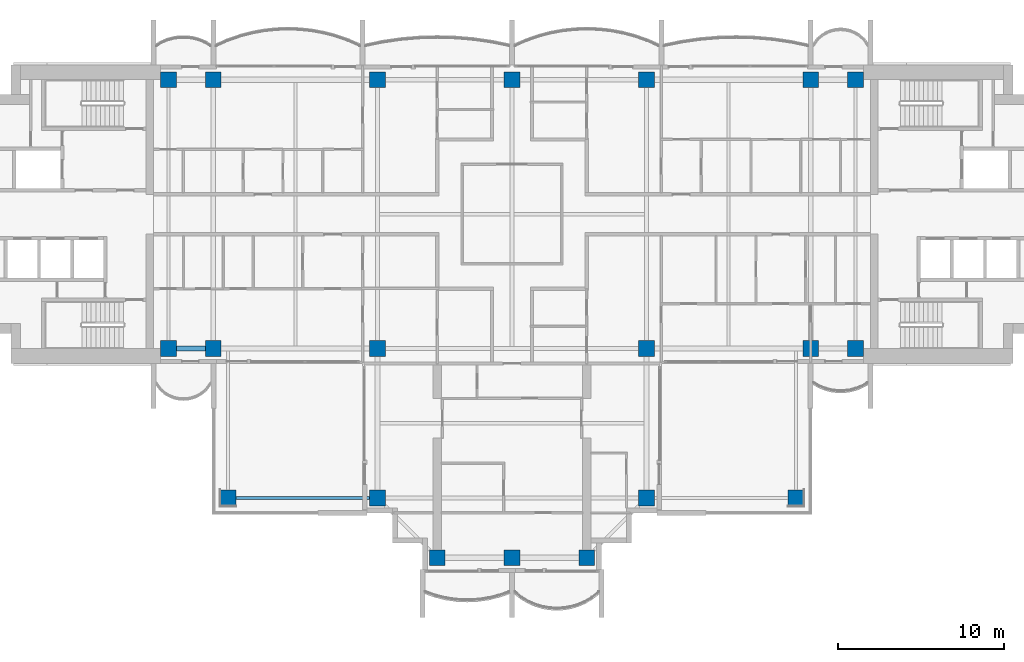
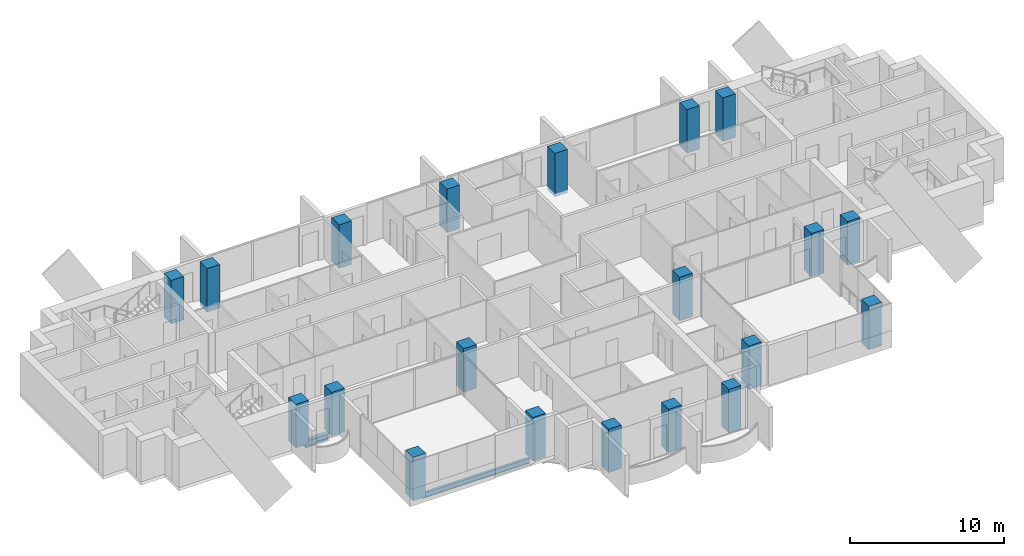
# One storey, part 1 of 18: 20 columns, 2 beams.
"""IFC4 building model written with IfcOpenShell, lengths in metres."""

from ifc_helpers import new_model, si_unit, direction, frame, origin, origin_2d, place, context, subcontext, project, spatial, rectangle, i_section, extrude, material, material_profile, profile_set, type_object, element, save


model = new_model("IFC4")

# Units and contexts
model_context = context("Model", 3, precision=1e-05, world=origin(), true_north=direction((0.0, 1.0)))
body_context = subcontext(model_context, "Body", "Model", "MODEL_VIEW")
ifc_project = project(units=[si_unit("LENGTHUNIT", "METRE"), si_unit("AREAUNIT", "SQUARE_METRE"), si_unit("VOLUMEUNIT", "CUBIC_METRE"), si_unit("PLANEANGLEUNIT", "RADIAN"), si_unit("MASSUNIT", "GRAM", prefix="KILO")], contexts=[model_context])

# Site, building, storey
site_placement = place(None, origin())
site = spatial("IfcSite", under=ifc_project, at=site_placement, CompositionType="ELEMENT")
building_placement = place(site_placement, origin())
building = spatial("IfcBuilding", under=site, at=building_placement, Name="Perihelion Cross Residences", CompositionType="ELEMENT")
storey_placement = place(building_placement, frame((0.0, 0.0, 219.10009765625)))
storey = spatial("IfcBuildingStorey", under=building, at=storey_placement, Name="L55", CompositionType="ELEMENT", Elevation=219.10009765625)

# Columns
ifc_material_1 = material(Name="Concrete C60/75", Category="concrete")
ifc_material_profile_1 = material_profile(ifc_material_1, rectangle(XDim=0.949951171875, YDim=0.949951171875, at=origin_2d()), Name="RC 950x950")
ifc_profile_set_1 = profile_set([ifc_material_profile_1], Name="Concrete C60/75")
column_type = type_object("IfcColumnType", Name="Reinforced concrete column 950x950 C60/75", PredefinedType="COLUMN", material=ifc_profile_set_1)
for number, where, z_axis, x_axis, name in (
    (1, (-20.699951171875, -8.10009765625, -0.25), (0.0, 0.0, 1.0), (1.0, 0.0, 0.0), "Column C017 L55 no. 1"),
    (2, (-20.699951171875, 8.10009765625, -0.25), (0.0, 0.0, 1.0), (1.0, 0.0, 0.0), "Column C010 L55 no. 1"),
    (3, (-18.0, -8.10009765625, -0.25), (0.0, 0.0, 1.0), (1.0, 0.0, 0.0), "Column C018 L55 no. 1"),
    (4, (-18.0, 8.10009765625, -0.25), (0.0, 0.0, 1.0), (1.0, 0.0, 0.0), "Column C011 L55 no. 1"),
    (5, (-8.10009765625, -17.10009765625, -0.25), (0.0, 0.0, 1.0), (1.0, 0.0, 0.0), "Column C031 L55 no. 1"),
    (6, (-8.10009765625, -8.10009765625, -0.25), (0.0, 0.0, 1.0), (1.0, 0.0, 0.0), "Column C019 L55 no. 1"),
    (7, (-8.10009765625, 8.10009765625, -0.25), (0.0, 0.0, 1.0), (1.0, 0.0, 0.0), "Column C012 L55 no. 1"),
    (8, (-4.5, -20.699951171875, -0.25), (0.0, 0.0, 1.0), (1.0, 0.0, 0.0), "Column C037 L55 no. 1"),
    (9, (0.0, -20.699951171875, -0.25), (0.0, 0.0, 1.0), (1.0, 0.0, 0.0), "Column C038 L55 no. 1"),
    (10, (0.0, 8.10009765625, -0.25), (0.0, 0.0, 1.0), (1.0, 0.0, 0.0), "Column C013 L55 no. 1"),
    (11, (4.5, -20.699951171875, -0.25), (0.0, 0.0, 1.0), (1.0, 0.0, 0.0), "Column C039 L55 no. 1"),
    (12, (8.10009765625, -17.10009765625, -0.25), (0.0, 0.0, 1.0), (1.0, 0.0, 0.0), "Column C035 L55 no. 1"),
    (13, (8.10009765625, -8.10009765625, -0.25), (0.0, 0.0, 1.0), (1.0, 0.0, 0.0), "Column C020 L55 no. 1"),
    (14, (8.10009765625, 8.10009765625, -0.25), (0.0, 0.0, 1.0), (1.0, 0.0, 0.0), "Column C014 L55 no. 1"),
    (15, (18.0, -8.10009765625, -0.25), (0.0, 0.0, 1.0), (1.0, 0.0, 0.0), "Column C021 L55 no. 1"),
    (16, (18.0, 8.10009765625, -0.25), (0.0, 0.0, 1.0), (1.0, 0.0, 0.0), "Column C015 L55 no. 1"),
    (17, (20.699951171875, -8.10009765625, -0.25), (0.0, 0.0, 1.0), (1.0, 0.0, 0.0), "Column C022 L55 no. 1"),
    (18, (20.699951171875, 8.10009765625, -0.25), (0.0, 0.0, 1.0), (1.0, 0.0, 0.0), "Column C016 L55 no. 1"),
    (19, (-17.10009765625, -17.10009765625, -0.25), (0.0, 0.0, 1.0), (1.0, 0.0, 0.0), "Column C030 L55 no. 1"),
    (20, (17.10009765625, -17.10009765625, -0.25), (0.0, 0.0, 1.0), (1.0, 0.0, 0.0), "Column C036 L55 no. 1"),
):
    element("IfcColumn", number, at=place(storey_placement, frame(where, z_axis=z_axis, x_axis=x_axis)), inside=storey, type_object=column_type, Name=name, PredefinedType="COLUMN", context=body_context, shape_type="SweptSolid", body=[
        extrude(rectangle(XDim=0.949951171875, YDim=0.949951171875, at=origin_2d()), origin(), (0.0, 0.0, 1.0), 3.449951171875),
    ])

# Beams
ifc_material_2 = material(Name="Steel S355", Category="steel")
ifc_material_profile_2 = material_profile(ifc_material_2, i_section(OverallWidth=0.177978515625, OverallDepth=0.406005859375, WebThickness=0.0078125, FlangeThickness=0.0126953125, at=origin_2d()), Name="W410x60")
ifc_profile_set_2 = profile_set([ifc_material_profile_2], Name="Steel S355")
beam_type_1 = type_object("IfcBeamType", Name="Core edge beam W410x60", PredefinedType="BEAM", material=ifc_profile_set_2)
beam_1_placement = place(storey_placement, frame((-8.574951171875, -17.10009765625, -0.453125), z_axis=(-1.0, 0.0, 0.0), x_axis=(0.0, -1.0, 0.0)))
element("IfcBeam", 21, at=beam_1_placement, inside=storey, type_object=beam_type_1, Name="Core edge beam TB2 L55 corner no. 2", PredefinedType="BEAM", context=body_context, shape_type="SweptSolid", body=[
    extrude(i_section(OverallWidth=0.177978515625, OverallDepth=0.406005859375, WebThickness=0.0078125, FlangeThickness=0.0126953125, at=origin_2d()), origin(), (0.0, 0.0, 1.0), 8.050048828125),
])
ifc_material_3 = material(Name="Steel S355", Category="steel")
ifc_material_profile_3 = material_profile(ifc_material_3, i_section(OverallWidth=0.31201171875, OverallDepth=0.5439453125, WebThickness=0.0126953125, FlangeThickness=0.020263671875, at=origin_2d()), Name="W530x150")
ifc_profile_set_3 = profile_set([ifc_material_profile_3], Name="Steel S355")
beam_type_2 = type_object("IfcBeamType", Name="Edge beam W530x150", PredefinedType="SPANDREL", material=ifc_profile_set_3)
beam_2_placement = place(storey_placement, frame((-20.22509765625, -8.10009765625, -0.522216796875), z_axis=(1.0, 0.0, 0.0), x_axis=(0.0, 1.0, 0.0)))
element("IfcBeam", 22, at=beam_2_placement, inside=storey, type_object=beam_type_2, Name="Edge beam SB4 L55 no. 3", PredefinedType="SPANDREL", context=body_context, shape_type="SweptSolid", body=[
    extrude(i_section(OverallWidth=0.31201171875, OverallDepth=0.5439453125, WebThickness=0.0126953125, FlangeThickness=0.020263671875, at=origin_2d()), origin(), (0.0, 0.0, 1.0), 1.75),
])

save(model, "model.ifc")
